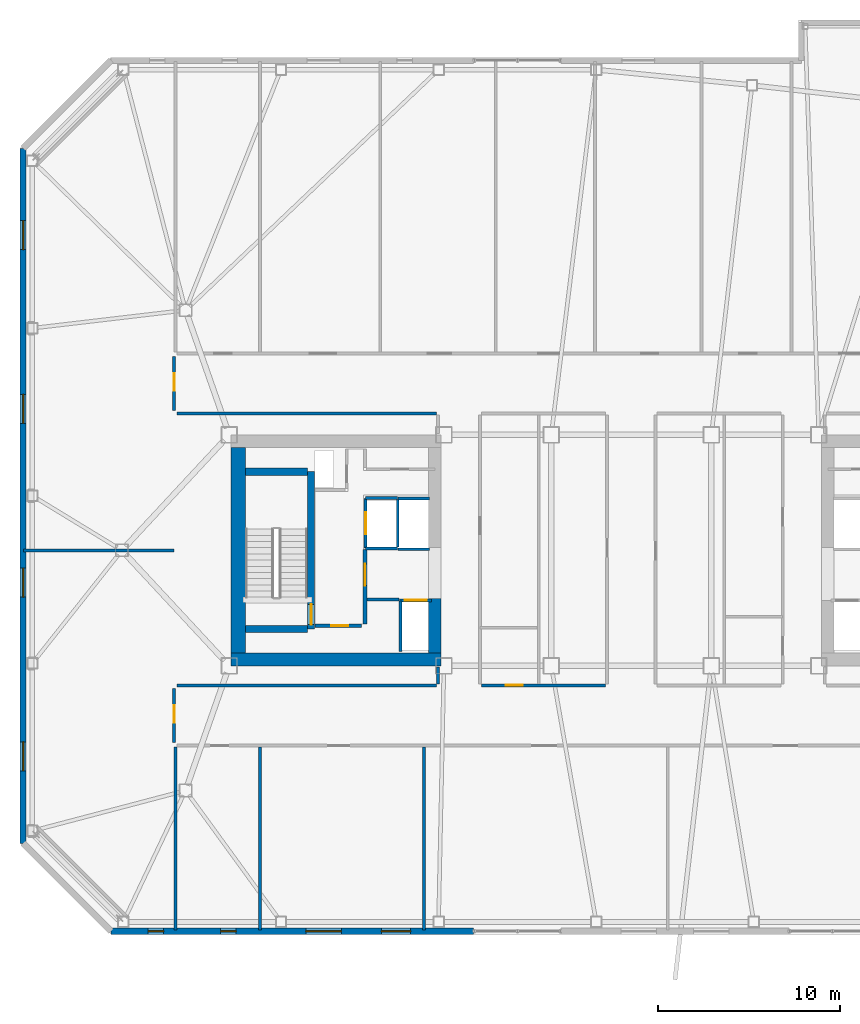
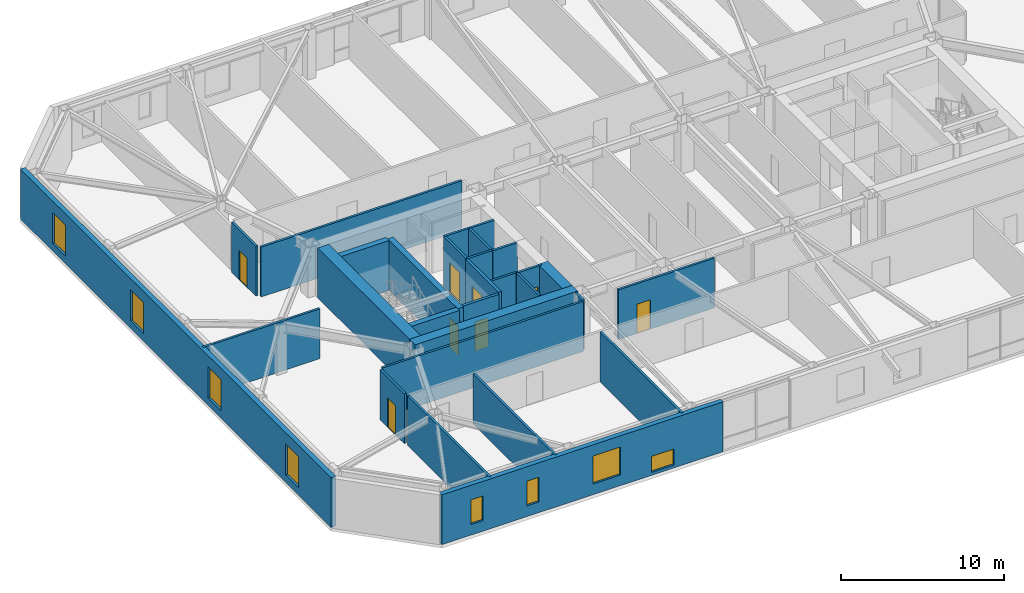
# One storey, part 10 of 18: 29 walls, 8 doors, 8 windows, 16 openings.
"""IFC4 building model written with IfcOpenShell, lengths in metres."""

from ifc_helpers import new_model, si_unit, direction, frame, frame_2d, origin, place, context, subcontext, project, spatial, rectangle, extrude, material, layer, layer_set, type_object, element, fill, save


model = new_model("IFC4")

# Units and contexts
model_context = context("Model", 3, precision=1e-05, world=origin(), true_north=direction((0.0, 1.0)))
body_context = subcontext(model_context, "Body", "Model", "MODEL_VIEW")
ifc_project = project(units=[si_unit("LENGTHUNIT", "METRE"), si_unit("AREAUNIT", "SQUARE_METRE"), si_unit("VOLUMEUNIT", "CUBIC_METRE"), si_unit("PLANEANGLEUNIT", "RADIAN"), si_unit("MASSUNIT", "GRAM", prefix="KILO")], contexts=[model_context])

# Site, building, storey
site_placement = place(None, origin())
site = spatial("IfcSite", under=ifc_project, at=site_placement, CompositionType="ELEMENT")
building_placement = place(site_placement, origin())
building = spatial("IfcBuilding", under=site, at=building_placement, Name="Tavrogorsk Clinical Tower", CompositionType="ELEMENT")
storey_placement = place(building_placement, frame((0.0, 0.0, 184.199951171875)))
storey = spatial("IfcBuildingStorey", under=building, at=storey_placement, Name="L42", CompositionType="ELEMENT", Elevation=184.199951171875)

# Wall, opening, door
ifc_material_1 = material(Name="Concrete B60", Category="concrete")
ifc_layer_1 = layer(ifc_material_1, 0.199951171875)
ifc_layer_set_1 = layer_set([ifc_layer_1], Name="Concrete B60")
wall_type_1 = type_object("IfcWallType", Name="CoreFireWall_200", PredefinedType="SOLIDWALL", material=ifc_layer_set_1)
wall_1_placement = place(storey_placement, frame((-17.3798828125, -4.139892578125, 0.0), z_axis=(0.0, 0.0, 1.0), x_axis=(1.0, 0.0, 0.0)))
wall_1 = element("IfcWall", 1, at=wall_1_placement, inside=storey, type_object=wall_type_1, Name="L42 Core West South Core Room Fire Wall", PredefinedType="SOLIDWALL", context=body_context, shape_type="SweptSolid", body=[
    extrude(rectangle(XDim=2.554931640625, YDim=0.199951171875, at=frame_2d((1.27734375, 0.0))), origin(), (0.0, 0.0, 1.0), 3.739990234375),
])
opening_1_placement = place(wall_1_placement, frame((0.8798828125, 0.0, 0.0)))
opening_1 = element("IfcOpeningElement", 2, at=opening_1_placement, cuts=wall_1, Name="Opening ID-02", PredefinedType="OPENING", context=body_context, shape_type="SweptSolid", body=[
    extrude(rectangle(XDim=0.949951171875, YDim=2.199951171875, at=frame_2d((0.47509765625, 1.10009765625))), frame((0.0, 0.10986328125, 0.0), z_axis=(0.0, -1.0, 0.0), x_axis=(1.0, 0.0, 0.0)), (0.0, 0.0, 1.0), 0.219970703125),
])
ifc_material_2 = material(Name="Laminated timber leaf on aluminium frame", Category="wood")
door_type_1 = type_object("IfcDoorType", Name="InteriorDoor_ID02_950", OperationType="NOTDEFINED", PredefinedType="DOOR", material=ifc_material_2)
door_1_placement = place(opening_1_placement, origin())
door_1 = element("IfcDoor", 3, at=door_1_placement, inside=storey, type_object=door_type_1, Name="L42 Core West South Core Room Door", OperationType="SINGLE_SWING_RIGHT", OverallHeight=2.199951171875, OverallWidth=0.949951171875, PredefinedType="DOOR", context=body_context, shape_type="SweptSolid", body=[
    extrude(rectangle(XDim=0.949951171875, YDim=2.199951171875, at=frame_2d((0.47509765625, 1.10009765625))), frame((0.0, 0.02490234375, 0.0), z_axis=(0.0, -1.0, 0.0), x_axis=(1.0, 0.0, 0.0)), (0.0, 0.0, 1.0), 0.050048828125),
])
fill(opening_1, door_1)

wall_2_placement = place(storey_placement, frame((-14.639892578125, -4.034912109375, 0.0), z_axis=(0.0, 0.0, 1.0), x_axis=(0.0, 1.0, 0.0)))
wall_2 = element("IfcWall", 4, at=wall_2_placement, inside=storey, type_object=wall_type_1, Name="L42 Core West Firefighting Lobby Fire Wall", PredefinedType="SOLIDWALL", context=body_context, shape_type="SweptSolid", body=[
    extrude(rectangle(XDim=4.074951171875, YDim=0.199951171875, at=frame_2d((2.03759765625, 0.0))), origin(), (0.0, 0.0, 1.0), 3.739990234375),
])
opening_2_placement = place(wall_2_placement, frame((2.090087890625, 0.0, 0.0)))
opening_2 = element("IfcOpeningElement", 5, at=opening_2_placement, cuts=wall_2, Name="Opening FD-01", PredefinedType="OPENING", context=body_context, shape_type="SweptSolid", body=[
    extrude(rectangle(XDim=1.199951171875, YDim=2.199951171875, at=frame_2d((0.60009765625, 1.10009765625))), frame((0.0, 0.10986328125, 0.0), z_axis=(0.0, -1.0, 0.0), x_axis=(1.0, 0.0, 0.0)), (0.0, 0.0, 1.0), 0.219970703125),
])
ifc_material_3 = material(Name="Galvanised steel fire-rated door assembly", Category="steel")
door_type_2 = type_object("IfcDoorType", Name="FireDoor_FD01_1200", OperationType="NOTDEFINED", PredefinedType="DOOR", material=ifc_material_3)
door_2_placement = place(opening_2_placement, origin())
door_2 = element("IfcDoor", 6, at=door_2_placement, inside=storey, type_object=door_type_2, Name="L42 Core West Firefighting Lobby Entry Door", OperationType="SINGLE_SWING_RIGHT", OverallHeight=2.199951171875, OverallWidth=1.199951171875, PredefinedType="DOOR", context=body_context, shape_type="SweptSolid", body=[
    extrude(rectangle(XDim=1.199951171875, YDim=2.199951171875, at=frame_2d((0.60009765625, 1.10009765625))), frame((0.0, 0.02490234375, 0.0), z_axis=(0.0, -1.0, 0.0), x_axis=(1.0, 0.0, 0.0)), (0.0, 0.0, 1.0), 0.050048828125),
])
fill(opening_2, door_2)

# Wall
ifc_material_4 = material(Name="Lightweight concrete blockwork B15", Category="masonry")
ifc_layer_2 = layer(ifc_material_4, 0.159912109375)
ifc_layer_set_2 = layer_set([ifc_layer_2], Name="Lightweight concrete blockwork B15")
wall_type_2 = type_object("IfcWallType", Name="PartitionWall_160", PredefinedType="PARTITIONING", material=ifc_layer_set_2)
wall_3_placement = place(storey_placement, frame((-14.534912109375, -2.699951171875, 0.0), z_axis=(0.0, 0.0, 1.0), x_axis=(1.0, 0.0, 0.0)))
element("IfcWall", 7, at=wall_3_placement, inside=storey, type_object=wall_type_2, Name="L42 Core West Freed Low-Bank North Partition", PredefinedType="PARTITIONING", context=body_context, shape_type="SweptSolid", body=[
    extrude(rectangle(XDim=1.760009765625, YDim=0.159912109375, at=frame_2d((0.8798828125, 0.0))), origin(), (0.0, 0.0, 1.0), 3.739990234375),
])

# Wall, opening, door
wall_4_placement = place(storey_placement, frame((-25.1298828125, -10.56494140625, 0.0), z_axis=(0.0, 0.0, 1.0), x_axis=(0.0, 1.0, 0.0)))
wall_4 = element("IfcWall", 8, at=wall_4_placement, inside=storey, type_object=wall_type_2, Name="L42 Corridor Partition 01", PredefinedType="PARTITIONING", context=body_context, shape_type="SweptSolid", body=[
    extrude(rectangle(XDim=2.97998046875, YDim=0.159912109375, at=frame_2d((1.489990234375, 0.0))), origin(), (0.0, 0.0, 1.0), 3.739990234375),
])
opening_3_placement = place(wall_4_placement, frame((1.10009765625, 0.0, 0.0)))
opening_3 = element("IfcOpeningElement", 9, at=opening_3_placement, cuts=wall_4, Name="Opening ID-02", PredefinedType="OPENING", context=body_context, shape_type="SweptSolid", body=[
    extrude(rectangle(XDim=0.949951171875, YDim=2.199951171875, at=frame_2d((0.47509765625, 1.10009765625))), frame((0.0, 0.08984375, 0.0), z_axis=(0.0, -1.0, 0.0), x_axis=(1.0, 0.0, 0.0)), (0.0, 0.0, 1.0), 0.179931640625),
])
door_3_placement = place(opening_3_placement, origin())
door_3 = element("IfcDoor", 10, at=door_3_placement, inside=storey, type_object=door_type_1, Name="L42 W Solarium Day Room & Lounge 1 Door", OperationType="SINGLE_SWING_RIGHT", OverallHeight=2.199951171875, OverallWidth=0.949951171875, PredefinedType="DOOR", context=body_context, shape_type="SweptSolid", body=[
    extrude(rectangle(XDim=0.949951171875, YDim=2.199951171875, at=frame_2d((0.47509765625, 1.10009765625))), frame((0.0, 0.02490234375, 0.0), z_axis=(0.0, -1.0, 0.0), x_axis=(1.0, 0.0, 0.0)), (0.0, 0.0, 1.0), 0.050048828125),
])
fill(opening_3, door_3)

# Walls
wall_5_placement = place(storey_placement, frame((-24.965087890625, -7.419921875, 0.0), z_axis=(0.0, 0.0, 1.0), x_axis=(1.0, 0.0, 0.0)))
element("IfcWall", 11, at=wall_5_placement, inside=storey, type_object=wall_type_2, Name="L42 Corridor Partition 02", PredefinedType="PARTITIONING", context=body_context, shape_type="SweptSolid", body=[
    extrude(rectangle(XDim=14.25, YDim=0.159912109375, at=frame_2d((7.125, 0.0))), origin(), (0.0, 0.0, 1.0), 3.739990234375),
])
wall_6_placement = place(storey_placement, frame((-10.6298828125, -7.3349609375, 0.0), z_axis=(0.0, 0.0, 1.0), x_axis=(0.0, 1.0, 0.0)))
element("IfcWall", 12, at=wall_6_placement, inside=storey, type_object=wall_type_2, Name="L42 Corridor Partition 03", PredefinedType="PARTITIONING", context=body_context, shape_type="SweptSolid", body=[
    extrude(rectangle(XDim=0.9150390625, YDim=0.159912109375, at=frame_2d((0.45751953125, 0.0))), origin(), (0.0, 0.0, 1.0), 3.739990234375),
])
wall_7_placement = place(storey_placement, frame((-10.715087890625, 7.52001953125, 0.0), z_axis=(0.0, 0.0, 1.0), x_axis=(-1.0, 0.0, 0.0)))
element("IfcWall", 13, at=wall_7_placement, inside=storey, type_object=wall_type_2, Name="L42 Corridor Partition 05", PredefinedType="PARTITIONING", context=body_context, shape_type="SweptSolid", body=[
    extrude(rectangle(XDim=14.25, YDim=0.159912109375, at=frame_2d((7.125, 0.0))), origin(), (0.0, 0.0, 1.0), 3.739990234375),
])

# Wall, opening, door
wall_8_placement = place(storey_placement, frame((-25.1298828125, 7.68505859375, 0.0), z_axis=(0.0, 0.0, 1.0), x_axis=(0.0, 1.0, 0.0)))
wall_8 = element("IfcWall", 14, at=wall_8_placement, inside=storey, type_object=wall_type_2, Name="L42 Corridor Partition 06", PredefinedType="PARTITIONING", context=body_context, shape_type="SweptSolid", body=[
    extrude(rectangle(XDim=2.97998046875, YDim=0.159912109375, at=frame_2d((1.489990234375, 0.0))), origin(), (0.0, 0.0, 1.0), 3.739990234375),
])
opening_4_placement = place(wall_8_placement, frame((1.10009765625, 0.0, 0.0)))
opening_4 = element("IfcOpeningElement", 15, at=opening_4_placement, cuts=wall_8, Name="Opening ID-02", PredefinedType="OPENING", context=body_context, shape_type="SweptSolid", body=[
    extrude(rectangle(XDim=0.949951171875, YDim=2.199951171875, at=frame_2d((0.47509765625, 1.10009765625))), frame((0.0, 0.08984375, 0.0), z_axis=(0.0, -1.0, 0.0), x_axis=(1.0, 0.0, 0.0)), (0.0, 0.0, 1.0), 0.179931640625),
])
door_4_placement = place(opening_4_placement, origin())
door_4 = element("IfcDoor", 16, at=door_4_placement, inside=storey, type_object=door_type_1, Name="L42 W Rehabilitation Therapy Suite 2 Door", OperationType="SINGLE_SWING_LEFT", OverallHeight=2.199951171875, OverallWidth=0.949951171875, PredefinedType="DOOR", context=body_context, shape_type="SweptSolid", body=[
    extrude(rectangle(XDim=0.949951171875, YDim=2.199951171875, at=frame_2d((0.47509765625, 1.10009765625))), frame((0.0, 0.02490234375, 0.0), z_axis=(0.0, -1.0, 0.0), x_axis=(1.0, 0.0, 0.0)), (0.0, 0.0, 1.0), 0.050048828125),
])
fill(opening_4, door_4)

wall_9_placement = place(storey_placement, frame((-8.235107421875, -7.419921875, 0.0), z_axis=(0.0, 0.0, 1.0), x_axis=(1.0, 0.0, 0.0)))
wall_9 = element("IfcWall", 17, at=wall_9_placement, inside=storey, type_object=wall_type_2, Name="L42 Corridor Partition 22", PredefinedType="PARTITIONING", context=body_context, shape_type="SweptSolid", body=[
    extrude(rectangle(XDim=6.820068359375, YDim=0.159912109375, at=frame_2d((3.41015625, 0.0))), origin(), (0.0, 0.0, 1.0), 3.739990234375),
])
opening_5_placement = place(wall_9_placement, frame((1.3291015625, 0.0, 0.0)))
opening_5 = element("IfcOpeningElement", 18, at=opening_5_placement, cuts=wall_9, Name="Opening ID-02", PredefinedType="OPENING", context=body_context, shape_type="SweptSolid", body=[
    extrude(rectangle(XDim=0.949951171875, YDim=2.199951171875, at=frame_2d((0.47509765625, 1.10009765625))), frame((0.0, 0.08984375, 0.0), z_axis=(0.0, -1.0, 0.0), x_axis=(1.0, 0.0, 0.0)), (0.0, 0.0, 1.0), 0.179931640625),
])
door_5_placement = place(opening_5_placement, origin())
door_5 = element("IfcDoor", 19, at=door_5_placement, inside=storey, type_object=door_type_1, Name="L42 Accessible Patient Lavatory Door", OperationType="SINGLE_SWING_RIGHT", OverallHeight=2.199951171875, OverallWidth=0.949951171875, PredefinedType="DOOR", context=body_context, shape_type="SweptSolid", body=[
    extrude(rectangle(XDim=0.949951171875, YDim=2.199951171875, at=frame_2d((0.47509765625, 1.10009765625))), frame((0.0, 0.02490234375, 0.0), z_axis=(0.0, -1.0, 0.0), x_axis=(1.0, 0.0, 0.0)), (0.0, 0.0, 1.0), 0.050048828125),
])
fill(opening_5, door_5)

# Walls
for number, where, z_axis, x_axis, name in (
    (20, (-25.050048828125, -20.860107421875, 0.0), (0.0, 0.0, 1.0), (0.0, 1.0, 0.0), "L42 SW Wing Closure Partition"),
    (21, (-20.39990234375, -20.860107421875, 0.0), (0.0, 0.0, 1.0), (0.0, 1.0, 0.0), "L42 South Room Partition 1"),
    (22, (-11.39990234375, -20.860107421875, 0.0), (0.0, 0.0, 1.0), (0.0, 1.0, 0.0), "L42 South Room Partition 2"),
):
    element("IfcWall", number, at=place(storey_placement, frame(where, z_axis=z_axis, x_axis=x_axis)), inside=storey, type_object=wall_type_2, Name=name, PredefinedType="PARTITIONING", context=body_context, shape_type="SweptSolid", body=[
        extrude(rectangle(XDim=10.045166015625, YDim=0.159912109375, at=frame_2d((5.0224609375, 0.0))), origin(), (0.0, 0.0, 1.0), 3.739990234375),
    ])
wall_10_placement = place(storey_placement, frame((-33.409912109375, 0.0, 0.0), z_axis=(0.0, 0.0, 1.0), x_axis=(1.0, 0.0, 0.0)))
element("IfcWall", 23, at=wall_10_placement, inside=storey, type_object=wall_type_2, Name="L42 W Wing Divider 1", PredefinedType="PARTITIONING", context=body_context, shape_type="SweptSolid", body=[
    extrude(rectangle(XDim=8.280029296875, YDim=0.159912109375, at=frame_2d((4.14013671875, 0.0))), origin(), (0.0, 0.0, 1.0), 3.739990234375),
])

# Wall, openings, windows
ifc_material_5 = material(Name="Precast concrete B45 with limestone cladding", Category="masonry")
ifc_layer_3 = layer(ifc_material_5, 0.340087890625)
ifc_layer_set_3 = layer_set([ifc_layer_3], Name="Precast concrete B45 with limestone cladding")
wall_type_3 = type_object("IfcWallType", Name="PrecastLimestoneWall_340", PredefinedType="STANDARD", material=ifc_layer_set_3)
wall_11_placement = place(storey_placement, frame((-28.60009765625, -20.929931640625, 0.0), z_axis=(0.0, 0.0, 1.0), x_axis=(1.0, 0.0, 0.0)))
wall_11 = element("IfcWall", 24, at=wall_11_placement, inside=storey, type_object=wall_type_3, Name="L42 S Limestone Facade Wall 1", PredefinedType="STANDARD", context=body_context, shape_type="SweptSolid", body=[
    extrude(rectangle(XDim=19.937255859375, YDim=0.340087890625, at=frame_2d((9.96875, 0.0))), origin(), (0.0, 0.0, 1.0), 3.739990234375),
])
opening_6_placement = place(wall_11_placement, frame((2.0439453125, 0.0, 0.800048828125)))
opening_6 = element("IfcOpeningElement", 25, at=opening_6_placement, cuts=wall_11, Name="Opening WN-06", PredefinedType="OPENING", context=body_context, shape_type="SweptSolid", body=[
    extrude(rectangle(XDim=0.85009765625, YDim=1.85009765625, at=frame_2d((0.425048828125, 0.925048828125))), frame((0.0, 0.179931640625, 0.0), z_axis=(0.0, -1.0, 0.0), x_axis=(1.0, 0.0, 0.0)), (0.0, 0.0, 1.0), 0.360107421875),
])
opening_7_placement = place(wall_11_placement, frame((6.02880859375, 0.0, 0.800048828125)))
opening_7 = element("IfcOpeningElement", 26, at=opening_7_placement, cuts=wall_11, Name="Opening WN-06", PredefinedType="OPENING", context=body_context, shape_type="SweptSolid", body=[
    extrude(rectangle(XDim=0.85009765625, YDim=1.85009765625, at=frame_2d((0.425048828125, 0.925048828125))), frame((0.0, 0.179931640625, 0.0), z_axis=(0.0, -1.0, 0.0), x_axis=(1.0, 0.0, 0.0)), (0.0, 0.0, 1.0), 0.360107421875),
])
opening_8_placement = place(wall_11_placement, frame((10.706787109375, 0.0, 0.800048828125)))
opening_8 = element("IfcOpeningElement", 27, at=opening_8_placement, cuts=wall_11, Name="Opening WN-13", PredefinedType="OPENING", context=body_context, shape_type="SweptSolid", body=[
    extrude(rectangle(XDim=1.949951171875, YDim=2.10009765625, at=frame_2d((0.97509765625, 1.050048828125))), frame((0.0, 0.179931640625, 0.0), z_axis=(0.0, -1.0, 0.0), x_axis=(1.0, 0.0, 0.0)), (0.0, 0.0, 1.0), 0.360107421875),
])
opening_9_placement = place(wall_11_placement, frame((14.86669921875, 0.0, 0.219970703125)))
opening_9 = element("IfcOpeningElement", 28, at=opening_9_placement, cuts=wall_11, Name="Opening WN-09", PredefinedType="OPENING", context=body_context, shape_type="SweptSolid", body=[
    extrude(rectangle(XDim=1.60009765625, YDim=1.199951171875, at=frame_2d((0.800048828125, 0.60009765625))), frame((0.0, 0.179931640625, 0.0), z_axis=(0.0, -1.0, 0.0), x_axis=(1.0, 0.0, 0.0)), (0.0, 0.0, 1.0), 0.360107421875),
])
ifc_material_6 = material(Name="Thermally broken aluminium frame and triple IGU", Category="aluminium")
window_type_1 = type_object("IfcWindowType", Name="ExamRoomWin_1950x2100", PartitioningType="DOUBLE_PANEL_VERTICAL", PredefinedType="WINDOW", material=ifc_material_6)
window_1_placement = place(opening_8_placement, origin())
window_1 = element("IfcWindow", 29, at=window_1_placement, inside=storey, type_object=window_type_1, Name="L42 S Chicago Window 03", OverallHeight=2.10009765625, OverallWidth=1.949951171875, PartitioningType="SINGLE_PANEL", PredefinedType="WINDOW", context=body_context, shape_type="SweptSolid", body=[
    extrude(rectangle(XDim=1.949951171875, YDim=2.10009765625, at=frame_2d((0.97509765625, 1.050048828125))), frame((0.0, 0.030029296875, 0.0), z_axis=(0.0, -1.0, 0.0), x_axis=(1.0, 0.0, 0.0)), (0.0, 0.0, 1.0), 0.06005859375),
])
fill(opening_8, window_1)
ifc_material_7 = material(Name="Thermally broken aluminium frame and triple IGU", Category="aluminium")
window_type_2 = type_object("IfcWindowType", Name="LowHeadTransWin_1600x1200", PartitioningType="DOUBLE_PANEL_VERTICAL", PredefinedType="WINDOW", material=ifc_material_7)
window_2_placement = place(opening_9_placement, origin())
window_2 = element("IfcWindow", 30, at=window_2_placement, inside=storey, type_object=window_type_2, Name="L42 S Chicago Window 04", OverallHeight=1.199951171875, OverallWidth=1.60009765625, PartitioningType="SINGLE_PANEL", PredefinedType="WINDOW", context=body_context, shape_type="SweptSolid", body=[
    extrude(rectangle(XDim=1.60009765625, YDim=1.199951171875, at=frame_2d((0.800048828125, 0.60009765625))), frame((0.0, 0.030029296875, 0.0), z_axis=(0.0, -1.0, 0.0), x_axis=(1.0, 0.0, 0.0)), (0.0, 0.0, 1.0), 0.06005859375),
])
fill(opening_9, window_2)
ifc_material_8 = material(Name="Thermally broken aluminium frame and triple IGU", Category="aluminium")
window_type_3 = type_object("IfcWindowType", Name="MullionSubWin_850x1850", PartitioningType="SINGLE_PANEL", PredefinedType="WINDOW", material=ifc_material_8)
window_3_placement = place(opening_6_placement, origin())
window_3 = element("IfcWindow", 31, at=window_3_placement, inside=storey, type_object=window_type_3, Name="L42 S Mullion Split Window 01A", OverallHeight=1.85009765625, OverallWidth=0.85009765625, PartitioningType="SINGLE_PANEL", PredefinedType="WINDOW", context=body_context, shape_type="SweptSolid", body=[
    extrude(rectangle(XDim=0.85009765625, YDim=1.85009765625, at=frame_2d((0.425048828125, 0.925048828125))), frame((0.0, 0.030029296875, 0.0), z_axis=(0.0, -1.0, 0.0), x_axis=(1.0, 0.0, 0.0)), (0.0, 0.0, 1.0), 0.06005859375),
])
fill(opening_6, window_3)
window_4_placement = place(opening_7_placement, origin())
window_4 = element("IfcWindow", 32, at=window_4_placement, inside=storey, type_object=window_type_3, Name="L42 S Mullion Split Window 02A", OverallHeight=1.85009765625, OverallWidth=0.85009765625, PartitioningType="SINGLE_PANEL", PredefinedType="WINDOW", context=body_context, shape_type="SweptSolid", body=[
    extrude(rectangle(XDim=0.85009765625, YDim=1.85009765625, at=frame_2d((0.425048828125, 0.925048828125))), frame((0.0, 0.030029296875, 0.0), z_axis=(0.0, -1.0, 0.0), x_axis=(1.0, 0.0, 0.0)), (0.0, 0.0, 1.0), 0.06005859375),
])
fill(opening_7, window_4)

wall_12_placement = place(storey_placement, frame((-33.429931640625, 22.10009765625, 0.0), z_axis=(0.0, 0.0, 1.0), x_axis=(0.0, -1.0, 0.0)))
wall_12 = element("IfcWall", 33, at=wall_12_placement, inside=storey, type_object=wall_type_3, Name="L42 W Pleated Limestone Wing Wall", PredefinedType="STANDARD", context=body_context, shape_type="SweptSolid", body=[
    extrude(rectangle(XDim=38.2001953125, YDim=0.340087890625, at=frame_2d((19.10009765625, 0.0))), origin(), (0.0, 0.0, 1.0), 3.739990234375),
])
opening_10_placement = place(wall_12_placement, frame((3.97509765625, 0.0, 0.580078125)))
opening_10 = element("IfcOpeningElement", 34, at=opening_10_placement, cuts=wall_12, Name="Opening WN-07", PredefinedType="OPENING", context=body_context, shape_type="SweptSolid", body=[
    extrude(rectangle(XDim=1.60009765625, YDim=2.300048828125, at=frame_2d((0.800048828125, 1.14990234375))), frame((0.0, 0.179931640625, 0.0), z_axis=(0.0, -1.0, 0.0), x_axis=(1.0, 0.0, 0.0)), (0.0, 0.0, 1.0), 0.360107421875),
])
opening_11_placement = place(wall_12_placement, frame((13.52490234375, 0.0, 0.580078125)))
opening_11 = element("IfcOpeningElement", 35, at=opening_11_placement, cuts=wall_12, Name="Opening WN-07", PredefinedType="OPENING", context=body_context, shape_type="SweptSolid", body=[
    extrude(rectangle(XDim=1.60009765625, YDim=2.300048828125, at=frame_2d((0.800048828125, 1.14990234375))), frame((0.0, 0.179931640625, 0.0), z_axis=(0.0, -1.0, 0.0), x_axis=(1.0, 0.0, 0.0)), (0.0, 0.0, 1.0), 0.360107421875),
])
opening_12_placement = place(wall_12_placement, frame((23.074951171875, 0.0, 0.580078125)))
opening_12 = element("IfcOpeningElement", 36, at=opening_12_placement, cuts=wall_12, Name="Opening WN-07", PredefinedType="OPENING", context=body_context, shape_type="SweptSolid", body=[
    extrude(rectangle(XDim=1.60009765625, YDim=2.300048828125, at=frame_2d((0.800048828125, 1.14990234375))), frame((0.0, 0.179931640625, 0.0), z_axis=(0.0, -1.0, 0.0), x_axis=(1.0, 0.0, 0.0)), (0.0, 0.0, 1.0), 0.360107421875),
])
opening_13_placement = place(wall_12_placement, frame((32.625, 0.0, 0.580078125)))
opening_13 = element("IfcOpeningElement", 37, at=opening_13_placement, cuts=wall_12, Name="Opening WN-07", PredefinedType="OPENING", context=body_context, shape_type="SweptSolid", body=[
    extrude(rectangle(XDim=1.60009765625, YDim=2.300048828125, at=frame_2d((0.800048828125, 1.14990234375))), frame((0.0, 0.179931640625, 0.0), z_axis=(0.0, -1.0, 0.0), x_axis=(1.0, 0.0, 0.0)), (0.0, 0.0, 1.0), 0.360107421875),
])
ifc_material_9 = material(Name="Thermally broken aluminium frame and triple IGU", Category="aluminium")
window_type_4 = type_object("IfcWindowType", Name="PleatSlotWin_1600x2300", PartitioningType="SINGLE_PANEL", PredefinedType="WINDOW", material=ifc_material_9)
window_5_placement = place(opening_10_placement, origin())
window_5 = element("IfcWindow", 38, at=window_5_placement, inside=storey, type_object=window_type_4, Name="L42 W Pleat Slot Window 1", OverallHeight=2.300048828125, OverallWidth=1.60009765625, PartitioningType="SINGLE_PANEL", PredefinedType="WINDOW", context=body_context, shape_type="SweptSolid", body=[
    extrude(rectangle(XDim=1.60009765625, YDim=2.300048828125, at=frame_2d((0.800048828125, 1.14990234375))), frame((0.0, 0.030029296875, 0.0), z_axis=(0.0, -1.0, 0.0), x_axis=(1.0, 0.0, 0.0)), (0.0, 0.0, 1.0), 0.06005859375),
])
fill(opening_10, window_5)
window_6_placement = place(opening_11_placement, origin())
window_6 = element("IfcWindow", 39, at=window_6_placement, inside=storey, type_object=window_type_4, Name="L42 W Pleat Slot Window 2", OverallHeight=2.300048828125, OverallWidth=1.60009765625, PartitioningType="SINGLE_PANEL", PredefinedType="WINDOW", context=body_context, shape_type="SweptSolid", body=[
    extrude(rectangle(XDim=1.60009765625, YDim=2.300048828125, at=frame_2d((0.800048828125, 1.14990234375))), frame((0.0, 0.030029296875, 0.0), z_axis=(0.0, -1.0, 0.0), x_axis=(1.0, 0.0, 0.0)), (0.0, 0.0, 1.0), 0.06005859375),
])
fill(opening_11, window_6)
window_7_placement = place(opening_12_placement, origin())
window_7 = element("IfcWindow", 40, at=window_7_placement, inside=storey, type_object=window_type_4, Name="L42 W Pleat Slot Window 3", OverallHeight=2.300048828125, OverallWidth=1.60009765625, PartitioningType="SINGLE_PANEL", PredefinedType="WINDOW", context=body_context, shape_type="SweptSolid", body=[
    extrude(rectangle(XDim=1.60009765625, YDim=2.300048828125, at=frame_2d((0.800048828125, 1.14990234375))), frame((0.0, 0.030029296875, 0.0), z_axis=(0.0, -1.0, 0.0), x_axis=(1.0, 0.0, 0.0)), (0.0, 0.0, 1.0), 0.06005859375),
])
fill(opening_12, window_7)
window_8_placement = place(opening_13_placement, origin())
window_8 = element("IfcWindow", 41, at=window_8_placement, inside=storey, type_object=window_type_4, Name="L42 W Pleat Slot Window 4", OverallHeight=2.300048828125, OverallWidth=1.60009765625, PartitioningType="SINGLE_PANEL", PredefinedType="WINDOW", context=body_context, shape_type="SweptSolid", body=[
    extrude(rectangle(XDim=1.60009765625, YDim=2.300048828125, at=frame_2d((0.800048828125, 1.14990234375))), frame((0.0, 0.030029296875, 0.0), z_axis=(0.0, -1.0, 0.0), x_axis=(1.0, 0.0, 0.0)), (0.0, 0.0, 1.0), 0.06005859375),
])
fill(opening_13, window_8)

# Wall, opening, door
ifc_material_10 = material(Name="Lightweight concrete blockwork B25", Category="masonry")
ifc_layer_4 = layer(ifc_material_10, 0.159912109375)
ifc_layer_set_4 = layer_set([ifc_layer_4], Name="Lightweight concrete blockwork B25")
wall_type_4 = type_object("IfcWallType", Name="ShaftWall_160", PredefinedType="PARTITIONING", material=ifc_layer_set_4)
wall_13_placement = place(storey_placement, frame((-14.60009765625, 0.1201171875, 0.0), z_axis=(0.0, 0.0, 1.0), x_axis=(0.0, 1.0, 0.0)))
wall_13 = element("IfcWall", 42, at=wall_13_placement, inside=storey, type_object=wall_type_4, Name="L42 FFL-W Firefighting Lift Front Wall", PredefinedType="PARTITIONING", context=body_context, shape_type="SweptSolid", body=[
    extrude(rectangle(XDim=2.739990234375, YDim=0.159912109375, at=frame_2d((1.3701171875, 0.0))), origin(), (0.0, 0.0, 1.0), 3.739990234375),
])
opening_14_placement = place(wall_13_placement, frame((0.77001953125, 0.0, 0.0)))
opening_14 = element("IfcOpeningElement", 43, at=opening_14_placement, cuts=wall_13, Name="Opening LD", PredefinedType="OPENING", context=body_context, shape_type="SweptSolid", body=[
    extrude(rectangle(XDim=1.199951171875, YDim=2.199951171875, at=frame_2d((0.60009765625, 1.10009765625))), frame((0.0, 0.08984375, 0.0), z_axis=(0.0, -1.0, 0.0), x_axis=(1.0, 0.0, 0.0)), (0.0, 0.0, 1.0), 0.179931640625),
])
ifc_material_11 = material(Name="Brushed stainless steel AISI 304 sliding doors", Category="steel")
door_type_3 = type_object("IfcDoorType", Name="LiftLandingDoor_LD_1200", OperationType="SLIDING_TO_LEFT", PredefinedType="DOOR", material=ifc_material_11)
door_6_placement = place(opening_14_placement, origin())
door_6 = element("IfcDoor", 44, at=door_6_placement, inside=storey, type_object=door_type_3, Name="L42 FFL-W Sliding Lift Landing Door", OperationType="SLIDING_TO_LEFT", OverallHeight=2.199951171875, OverallWidth=1.199951171875, PredefinedType="DOOR", context=body_context, shape_type="SweptSolid", body=[
    extrude(rectangle(XDim=1.199951171875, YDim=2.199951171875, at=frame_2d((0.60009765625, 1.10009765625))), frame((0.0, 0.02490234375, 0.0), z_axis=(0.0, -1.0, 0.0), x_axis=(1.0, 0.0, 0.0)), (0.0, 0.0, 1.0), 0.050048828125),
])
fill(opening_14, door_6)

# Walls
for number, where, z_axis, x_axis, name in (
    (45, (-14.60009765625, 0.10009765625, 0.0), (0.0, 0.0, 1.0), (1.0, 0.0, 0.0), "L42 FFL-W Shaft South Wall"),
    (46, (-14.60009765625, 2.8798828125, 0.0), (0.0, 0.0, 1.0), (1.0, 0.0, 0.0), "L42 FFL-W Shaft North Wall"),
):
    element("IfcWall", number, at=place(storey_placement, frame(where, z_axis=z_axis, x_axis=x_axis)), inside=storey, type_object=wall_type_4, Name=name, PredefinedType="PARTITIONING", context=body_context, shape_type="SweptSolid", body=[
        extrude(rectangle(XDim=1.760009765625, YDim=0.159912109375, at=frame_2d((0.8798828125, 0.0))), origin(), (0.0, 0.0, 1.0), 3.739990234375),
    ])
wall_14_placement = place(storey_placement, frame((-12.840087890625, 0.179931640625, 0.0), z_axis=(0.0, 0.0, 1.0), x_axis=(0.0, 1.0, 0.0)))
element("IfcWall", 47, at=wall_14_placement, inside=storey, type_object=wall_type_4, Name="L42 FFL-W Shaft Back Wall", PredefinedType="PARTITIONING", context=body_context, shape_type="SweptSolid", body=[
    extrude(rectangle(XDim=2.6201171875, YDim=0.159912109375, at=frame_2d((1.31005859375, 0.0))), origin(), (0.0, 0.0, 1.0), 3.739990234375),
])

# Wall, opening, door
wall_15_placement = place(storey_placement, frame((-12.72998046875, -2.75, 0.0), z_axis=(0.0, 0.0, 1.0), x_axis=(1.0, 0.0, 0.0)))
wall_15 = element("IfcWall", 48, at=wall_15_placement, inside=storey, type_object=wall_type_4, Name="L42 LP-M1 Lift Shaft Portal Wall", PredefinedType="PARTITIONING", context=body_context, shape_type="SweptSolid", body=[
    extrude(rectangle(XDim=1.760009765625, YDim=0.159912109375, at=frame_2d((0.8798828125, 0.0))), origin(), (0.0, 0.0, 1.0), 3.739990234375),
])
opening_15_placement = place(wall_15_placement, frame((0.280029296875, 0.0, 0.0)))
opening_15 = element("IfcOpeningElement", 49, at=opening_15_placement, cuts=wall_15, Name="Opening LD", PredefinedType="OPENING", context=body_context, shape_type="SweptSolid", body=[
    extrude(rectangle(XDim=1.199951171875, YDim=2.199951171875, at=frame_2d((0.60009765625, 1.10009765625))), frame((0.0, 0.08984375, 0.0), z_axis=(0.0, -1.0, 0.0), x_axis=(1.0, 0.0, 0.0)), (0.0, 0.0, 1.0), 0.179931640625),
])
door_7_placement = place(opening_15_placement, origin())
door_7 = element("IfcDoor", 50, at=door_7_placement, inside=storey, type_object=door_type_3, Name="L42 LP-M1 Sliding Lift Landing Door", OperationType="SLIDING_TO_LEFT", OverallHeight=2.199951171875, OverallWidth=1.199951171875, PredefinedType="DOOR", context=body_context, shape_type="SweptSolid", body=[
    extrude(rectangle(XDim=1.199951171875, YDim=2.199951171875, at=frame_2d((0.60009765625, 1.10009765625))), frame((0.0, 0.02490234375, 0.0), z_axis=(0.0, -1.0, 0.0), x_axis=(1.0, 0.0, 0.0)), (0.0, 0.0, 1.0), 0.050048828125),
])
fill(opening_15, door_7)

# Walls
for number, where, z_axis, x_axis, name in (
    (51, (-12.820068359375, 0.06005859375, 0.0), (0.0, 0.0, 1.0), (1.0, 0.0, 0.0), "L42 LP-H1 High-Zone Lift Portal Wall"),
    (52, (-12.820068359375, 2.860107421875, 0.0), (0.0, 0.0, 1.0), (1.0, 0.0, 0.0), "L42 LP-H1 High-Zone Lift Rear Wall"),
):
    element("IfcWall", number, at=place(storey_placement, frame(where, z_axis=z_axis, x_axis=x_axis)), inside=storey, type_object=wall_type_4, Name=name, PredefinedType="PARTITIONING", context=body_context, shape_type="SweptSolid", body=[
        extrude(rectangle(XDim=1.719970703125, YDim=0.159912109375, at=frame_2d((0.85986328125, 0.0))), origin(), (0.0, 0.0, 1.0), 3.739990234375),
    ])
wall_16_placement = place(storey_placement, frame((-12.68994140625, -5.56005859375, 0.0), z_axis=(0.0, 0.0, 1.0), x_axis=(0.0, 1.0, 0.0)))
element("IfcWall", 53, at=wall_16_placement, inside=storey, type_object=wall_type_4, Name="L42 Core West Freed Low-Bank Shaft Divider", PredefinedType="PARTITIONING", context=body_context, shape_type="SweptSolid", body=[
    extrude(rectangle(XDim=2.775146484375, YDim=0.159912109375, at=frame_2d((1.3876953125, 0.0))), origin(), (0.0, 0.0, 1.0), 3.739990234375),
])

# Wall, opening, door
ifc_material_12 = material(Name="Concrete B80", Category="concrete")
ifc_layer_5 = layer(ifc_material_12, 0.39990234375)
ifc_layer_set_5 = layer_set([ifc_layer_5], Name="Concrete B80")
wall_type_5 = type_object("IfcWallType", Name="ShearWall_400", PredefinedType="SHEAR", material=ifc_layer_set_5)
wall_17_placement = place(storey_placement, frame((-17.60009765625, -4.324951171875, 0.0), z_axis=(0.0, 0.0, 1.0), x_axis=(0.0, 1.0, 0.0)))
wall_17 = element("IfcWall", 54, at=wall_17_placement, inside=storey, type_object=wall_type_5, Name="L42 Core West Stair Shaft Inner Shear Wall", PredefinedType="SHEAR", context=body_context, shape_type="SweptSolid", body=[
    extrude(rectangle(XDim=8.64990234375, YDim=0.39990234375, at=frame_2d((4.324951171875, 0.0))), origin(), (0.0, 0.0, 1.0), 3.739990234375),
])
opening_16_placement = place(wall_17_placement, frame((0.25, 0.0, 0.0)))
opening_16 = element("IfcOpeningElement", 55, at=opening_16_placement, cuts=wall_17, Name="Opening SD-01", PredefinedType="OPENING", context=body_context, shape_type="SweptSolid", body=[
    extrude(rectangle(XDim=1.10009765625, YDim=2.199951171875, at=frame_2d((0.550048828125, 1.10009765625))), frame((0.0, 0.2099609375, 0.0), z_axis=(0.0, -1.0, 0.0), x_axis=(1.0, 0.0, 0.0)), (0.0, 0.0, 1.0), 0.419921875),
])
ifc_material_13 = material(Name="Galvanised steel smoke-tight fire door assembly", Category="steel")
door_type_4 = type_object("IfcDoorType", Name="StairFireDoor_SD01_1100", OperationType="NOTDEFINED", PredefinedType="DOOR", material=ifc_material_13)
door_8_placement = place(opening_16_placement, origin())
door_8 = element("IfcDoor", 56, at=door_8_placement, inside=storey, type_object=door_type_4, Name="L42 ST-W Exit Stair Door", OperationType="SINGLE_SWING_LEFT", OverallHeight=2.199951171875, OverallWidth=1.10009765625, PredefinedType="DOOR", context=body_context, shape_type="SweptSolid", body=[
    extrude(rectangle(XDim=1.10009765625, YDim=2.199951171875, at=frame_2d((0.550048828125, 1.10009765625))), frame((0.0, 0.02490234375, 0.0), z_axis=(0.0, -1.0, 0.0), x_axis=(1.0, 0.0, 0.0)), (0.0, 0.0, 1.0), 0.050048828125),
])
fill(opening_16, door_8)

# Walls
for number, where, z_axis, x_axis, name in (
    (57, (-21.199951171875, -4.324951171875, 0.0), (0.0, 0.0, 1.0), (1.0, 0.0, 0.0), "L42 Core West Stair Shaft South Shear Wall"),
    (58, (-21.199951171875, 4.324951171875, 0.0), (0.0, 0.0, 1.0), (1.0, 0.0, 0.0), "L42 Core West Stair Shaft North Shear Wall"),
):
    element("IfcWall", number, at=place(storey_placement, frame(where, z_axis=z_axis, x_axis=x_axis)), inside=storey, type_object=wall_type_5, Name=name, PredefinedType="SHEAR", context=body_context, shape_type="SweptSolid", body=[
        extrude(rectangle(XDim=3.39990234375, YDim=0.39990234375, at=frame_2d((1.699951171875, 0.0))), origin(), (0.0, 0.0, 1.0), 3.739990234375),
    ])
ifc_material_14 = material(Name="Concrete B80", Category="concrete")
ifc_layer_6 = layer(ifc_material_14, 0.699951171875)
ifc_layer_set_6 = layer_set([ifc_layer_6], Name="Concrete B80")
wall_type_6 = type_object("IfcWallType", Name="ShearWall_700", PredefinedType="SHEAR", material=ifc_layer_set_6)
wall_18_placement = place(storey_placement, frame((-22.0, -6.0, 0.0), z_axis=(0.0, 0.0, 1.0), x_axis=(1.0, 0.0, 0.0)))
element("IfcWall", 59, at=wall_18_placement, inside=storey, type_object=wall_type_6, Name="L42 Core West South Shear Wall", PredefinedType="SHEAR", context=body_context, shape_type="SweptSolid", body=[
    extrude(rectangle(XDim=11.550048828125, YDim=0.699951171875, at=frame_2d((5.77490234375, 0.0))), origin(), (0.0, 0.0, 1.0), 3.739990234375),
])
wall_19_placement = place(storey_placement, frame((-10.800048828125, -5.64990234375, 0.0), z_axis=(0.0, 0.0, 1.0), x_axis=(0.0, 1.0, 0.0)))
element("IfcWall", 60, at=wall_19_placement, inside=storey, type_object=wall_type_6, Name="L42 Core West Inner South Pier", PredefinedType="SHEAR", context=body_context, shape_type="SweptSolid", body=[
    extrude(rectangle(XDim=3.0, YDim=0.699951171875, at=frame_2d((1.5, 0.0))), origin(), (0.0, 0.0, 1.0), 3.739990234375),
])
ifc_material_15 = material(Name="Concrete B80", Category="concrete")
ifc_layer_7 = layer(ifc_material_15, 0.800048828125)
ifc_layer_set_7 = layer_set([ifc_layer_7], Name="Concrete B80")
wall_type_7 = type_object("IfcWallType", Name="ShearWall_800", PredefinedType="SHEAR", material=ifc_layer_set_7)
wall_20_placement = place(storey_placement, frame((-21.60009765625, -5.64990234375, 0.0), z_axis=(0.0, 0.0, 1.0), x_axis=(0.0, 1.0, 0.0)))
element("IfcWall", 61, at=wall_20_placement, inside=storey, type_object=wall_type_7, Name="L42 Core West End Shear Wall", PredefinedType="SHEAR", context=body_context, shape_type="SweptSolid", body=[
    extrude(rectangle(XDim=11.2998046875, YDim=0.800048828125, at=frame_2d((5.64990234375, 0.0))), origin(), (0.0, 0.0, 1.0), 3.739990234375),
])

save(model, "model.ifc")
